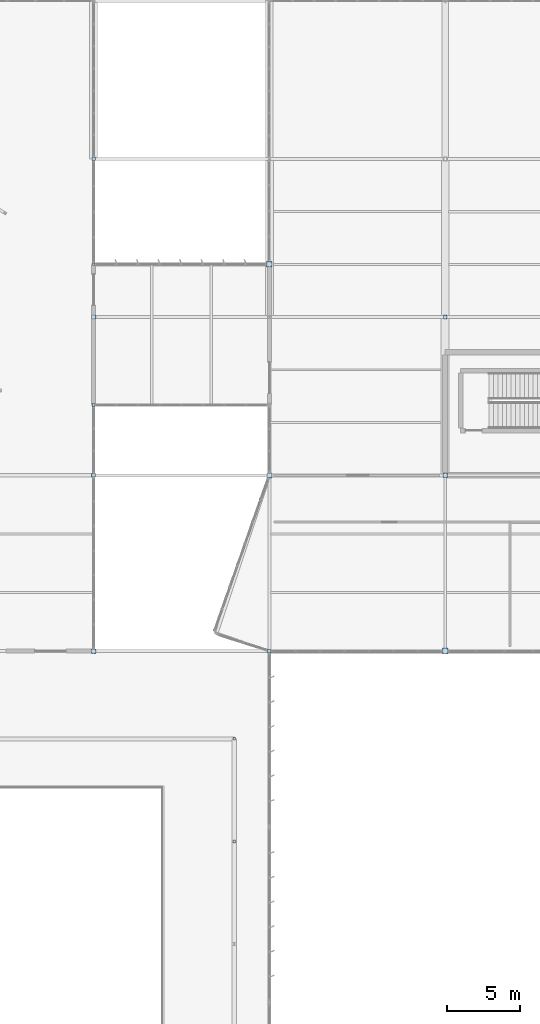
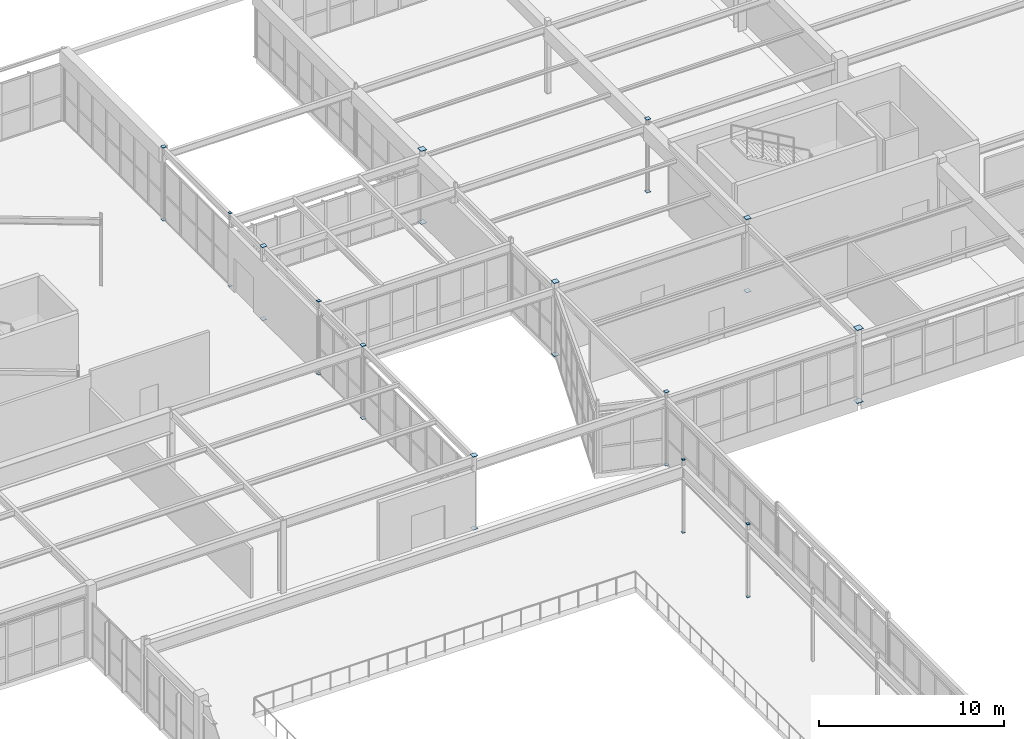
# One storey, part 150 of 186: 28 plates.
"""IFC4 building model written with IfcOpenShell, lengths in metres."""

from ifc_helpers import new_model, si_unit, direction, frame, origin, origin_2d, place, context, subcontext, project, spatial, rectangle, extrude, material, layer, layer_set, type_object, element, save


model = new_model("IFC4")

# Units and contexts
model_context = context("Model", 3, precision=1e-05, world=origin(), true_north=direction((0.0, 1.0)))
body_context = subcontext(model_context, "Body", "Model", "MODEL_VIEW")
ifc_project = project(units=[si_unit("LENGTHUNIT", "METRE"), si_unit("AREAUNIT", "SQUARE_METRE"), si_unit("VOLUMEUNIT", "CUBIC_METRE"), si_unit("PLANEANGLEUNIT", "RADIAN"), si_unit("MASSUNIT", "GRAM", prefix="KILO")], contexts=[model_context])

# Site, building, storey
site_placement = place(None, origin())
site = spatial("IfcSite", under=ifc_project, at=site_placement, CompositionType="ELEMENT")
building_placement = place(site_placement, origin())
building = spatial("IfcBuilding", under=site, at=building_placement, Name="Tarnwether General Hospital", CompositionType="ELEMENT")
storey_placement = place(building_placement, frame((0.0, 0.0, 9.60009765625)))
storey = spatial("IfcBuildingStorey", under=building, at=storey_placement, Name="L02", CompositionType="ELEMENT", Elevation=9.60009765625)

# Plates
ifc_material = material(Name="Steel Grade 350 (350 MPa)", Category="steel")
ifc_layer = layer(ifc_material, 0.02490234375)
ifc_layer_set = layer_set([ifc_layer], Name="Steel Grade 350 (350 MPa)")
plate_type = type_object("IfcPlateType", Name="PT-GUS2", PredefinedType="USERDEFINED", material=ifc_layer_set)
for number, where, z_axis, x_axis, name in (
    (1, (132.0, 81.60009765625, -0.025146484375), (0.0, 0.0, 1.0), (1.0, 0.0, 0.0), "Hollow Section Welded End Cap Plate 0235"),
    (2, (132.0, 81.60009765625, 4.800048828125), (0.0, 0.0, 1.0), (1.0, 0.0, 0.0), "Hollow Section Welded End Cap Plate 0236"),
):
    element("IfcPlate", number, at=place(storey_placement, frame(where, z_axis=z_axis, x_axis=x_axis)), inside=storey, type_object=plate_type, Name=name, ObjectType="GUSSET", PredefinedType="USERDEFINED", context=body_context, shape_type="SweptSolid", body=[
        extrude(rectangle(XDim=0.31298828125, YDim=0.31298828125, at=origin_2d()), origin(), (0.0, 0.0, 1.0), 0.02490234375),
    ])
for number, where, z_axis, x_axis, name in (
    (3, (132.0, 93.60009765625, -0.025146484375), (0.0, 0.0, 1.0), (1.0, 0.0, 0.0), "Hollow Section Welded End Cap Plate 0243"),
    (4, (132.0, 93.60009765625, 4.800048828125), (0.0, 0.0, 1.0), (1.0, 0.0, 0.0), "Hollow Section Welded End Cap Plate 0244"),
):
    element("IfcPlate", number, at=place(storey_placement, frame(where, z_axis=z_axis, x_axis=x_axis)), inside=storey, type_object=plate_type, Name=name, ObjectType="GUSSET", PredefinedType="USERDEFINED", context=body_context, shape_type="SweptSolid", body=[
        extrude(rectangle(XDim=0.259033203125, YDim=0.259033203125, at=origin_2d()), origin(), (0.0, 0.0, 1.0), 0.02490234375),
    ])
for number, where, z_axis, x_axis, name in (
    (5, (132.0, 104.39990234375, -0.025146484375), (0.0, 0.0, 1.0), (1.0, 0.0, 0.0), "Hollow Section Welded End Cap Plate 0251"),
    (6, (132.0, 104.39990234375, 4.800048828125), (0.0, 0.0, 1.0), (1.0, 0.0, 0.0), "Hollow Section Welded End Cap Plate 0252"),
):
    element("IfcPlate", number, at=place(storey_placement, frame(where, z_axis=z_axis, x_axis=x_axis)), inside=storey, type_object=plate_type, Name=name, ObjectType="GUSSET", PredefinedType="USERDEFINED", context=body_context, shape_type="SweptSolid", body=[
        extrude(rectangle(XDim=0.2900390625, YDim=0.2900390625, at=origin_2d()), origin(), (0.0, 0.0, 1.0), 0.02490234375),
    ])
for number, where, z_axis, x_axis, name in (
    (7, (132.0, 115.199951171875, -0.025146484375), (0.0, 0.0, 1.0), (1.0, 0.0, 0.0), "Hollow Section Welded End Cap Plate 0259"),
    (8, (132.0, 115.199951171875, 4.800048828125), (0.0, 0.0, 1.0), (1.0, 0.0, 0.0), "Hollow Section Welded End Cap Plate 0260"),
):
    element("IfcPlate", number, at=place(storey_placement, frame(where, z_axis=z_axis, x_axis=x_axis)), inside=storey, type_object=plate_type, Name=name, ObjectType="GUSSET", PredefinedType="USERDEFINED", context=body_context, shape_type="SweptSolid", body=[
        extrude(rectangle(XDim=0.239990234375, YDim=0.239990234375, at=origin_2d()), origin(), (0.0, 0.0, 1.0), 0.02490234375),
    ])
for number, where, z_axis, x_axis, name in (
    (9, (144.0, 81.60009765625, -0.025146484375), (0.0, 0.0, 1.0), (1.0, 0.0, 0.0), "Hollow Section Welded End Cap Plate 0289"),
    (10, (144.0, 81.60009765625, 4.800048828125), (0.0, 0.0, 1.0), (1.0, 0.0, 0.0), "Hollow Section Welded End Cap Plate 0290"),
):
    element("IfcPlate", number, at=place(storey_placement, frame(where, z_axis=z_axis, x_axis=x_axis)), inside=storey, type_object=plate_type, Name=name, ObjectType="GUSSET", PredefinedType="USERDEFINED", context=body_context, shape_type="SweptSolid", body=[
        extrude(rectangle(XDim=0.23388671875, YDim=0.23388671875, at=origin_2d()), origin(), (0.0, 0.0, 1.0), 0.02490234375),
    ])
for number, where, z_axis, x_axis, name in (
    (11, (144.0, 93.60009765625, -0.025146484375), (0.0, 0.0, 1.0), (1.0, 0.0, 0.0), "Hollow Section Welded End Cap Plate 0295"),
    (12, (144.0, 93.60009765625, 4.800048828125), (0.0, 0.0, 1.0), (1.0, 0.0, 0.0), "Hollow Section Welded End Cap Plate 0296"),
):
    element("IfcPlate", number, at=place(storey_placement, frame(where, z_axis=z_axis, x_axis=x_axis)), inside=storey, type_object=plate_type, Name=name, ObjectType="GUSSET", PredefinedType="USERDEFINED", context=body_context, shape_type="SweptSolid", body=[
        extrude(rectangle(XDim=0.340087890625, YDim=0.340087890625, at=origin_2d()), origin(), (0.0, 0.0, 1.0), 0.02490234375),
    ])
for number, where, z_axis, x_axis, name in (
    (13, (156.0, 81.60009765625, -0.025146484375), (0.0, 0.0, 1.0), (1.0, 0.0, 0.0), "Hollow Section Welded End Cap Plate 0325"),
    (14, (156.0, 81.60009765625, 4.800048828125), (0.0, 0.0, 1.0), (1.0, 0.0, 0.0), "Hollow Section Welded End Cap Plate 0326"),
):
    element("IfcPlate", number, at=place(storey_placement, frame(where, z_axis=z_axis, x_axis=x_axis)), inside=storey, type_object=plate_type, Name=name, ObjectType="GUSSET", PredefinedType="USERDEFINED", context=body_context, shape_type="SweptSolid", body=[
        extrude(rectangle(XDim=0.39599609375, YDim=0.39599609375, at=origin_2d()), origin(), (0.0, 0.0, 1.0), 0.02490234375),
    ])
for number, where, z_axis, x_axis, name in (
    (15, (156.0, 93.60009765625, -0.025146484375), (0.0, 0.0, 1.0), (1.0, 0.0, 0.0), "Hollow Section Welded End Cap Plate 0333"),
    (16, (156.0, 93.60009765625, 4.800048828125), (0.0, 0.0, 1.0), (1.0, 0.0, 0.0), "Hollow Section Welded End Cap Plate 0334"),
):
    element("IfcPlate", number, at=place(storey_placement, frame(where, z_axis=z_axis, x_axis=x_axis)), inside=storey, type_object=plate_type, Name=name, ObjectType="GUSSET", PredefinedType="USERDEFINED", context=body_context, shape_type="SweptSolid", body=[
        extrude(rectangle(XDim=0.31298828125, YDim=0.31298828125, at=origin_2d()), origin(), (0.0, 0.0, 1.0), 0.02490234375),
    ])
for number, where, z_axis, x_axis, name in (
    (17, (156.0, 104.39990234375, -0.025146484375), (0.0, 0.0, 1.0), (1.0, 0.0, 0.0), "Hollow Section Welded End Cap Plate 0343"),
    (18, (156.0, 104.39990234375, 4.800048828125), (0.0, 0.0, 1.0), (1.0, 0.0, 0.0), "Hollow Section Welded End Cap Plate 0344"),
):
    element("IfcPlate", number, at=place(storey_placement, frame(where, z_axis=z_axis, x_axis=x_axis)), inside=storey, type_object=plate_type, Name=name, ObjectType="GUSSET", PredefinedType="USERDEFINED", context=body_context, shape_type="SweptSolid", body=[
        extrude(rectangle(XDim=0.259033203125, YDim=0.259033203125, at=origin_2d()), origin(), (0.0, 0.0, 1.0), 0.02490234375),
    ])
for number, where, z_axis, x_axis, name in (
    (19, (141.60009765625, 68.60009765625, -0.025146484375), (0.0, 0.0, 1.0), (1.0, 0.0, 0.0), "Hollow Section Welded End Cap Plate 0447"),
    (20, (141.60009765625, 68.60009765625, 4.800048828125), (0.0, 0.0, 1.0), (1.0, 0.0, 0.0), "Hollow Section Welded End Cap Plate 0448"),
):
    element("IfcPlate", number, at=place(storey_placement, frame(where, z_axis=z_axis, x_axis=x_axis)), inside=storey, type_object=plate_type, Name=name, ObjectType="GUSSET", PredefinedType="USERDEFINED", context=body_context, shape_type="SweptSolid", body=[
        extrude(rectangle(XDim=0.18994140625, YDim=0.18994140625, at=origin_2d()), origin(), (0.0, 0.0, 1.0), 0.02490234375),
    ])
for number, where, z_axis, x_axis, name in (
    (21, (141.60009765625, 75.60009765625, -0.025146484375), (0.0, 0.0, 1.0), (1.0, 0.0, 0.0), "Hollow Section Welded End Cap Plate 0451"),
    (22, (141.60009765625, 75.60009765625, 4.800048828125), (0.0, 0.0, 1.0), (1.0, 0.0, 0.0), "Hollow Section Welded End Cap Plate 0452"),
):
    element("IfcPlate", number, at=place(storey_placement, frame(where, z_axis=z_axis, x_axis=x_axis)), inside=storey, type_object=plate_type, Name=name, ObjectType="GUSSET", PredefinedType="USERDEFINED", context=body_context, shape_type="SweptSolid", body=[
        extrude(rectangle(XDim=0.1650390625, YDim=0.1650390625, at=origin_2d()), origin(), (0.0, 0.0, 1.0), 0.02490234375),
    ])
for number, where, z_axis, x_axis, name in (
    (23, (132.0, 98.39990234375, -0.025146484375), (0.0, 0.0, 1.0), (1.0, 0.0, 0.0), "Hollow Section Welded End Cap Plate 0759"),
    (24, (132.0, 98.39990234375, 4.800048828125), (0.0, 0.0, 1.0), (1.0, 0.0, 0.0), "Hollow Section Welded End Cap Plate 0760"),
):
    element("IfcPlate", number, at=place(storey_placement, frame(where, z_axis=z_axis, x_axis=x_axis)), inside=storey, type_object=plate_type, Name=name, ObjectType="GUSSET", PredefinedType="USERDEFINED", context=body_context, shape_type="SweptSolid", body=[
        extrude(rectangle(XDim=0.18994140625, YDim=0.18994140625, at=origin_2d()), origin(), (0.0, 0.0, 1.0), 0.02490234375),
    ])
for number, where, z_axis, x_axis, name in (
    (25, (132.0, 108.0, -0.025146484375), (0.0, 0.0, 1.0), (1.0, 0.0, 0.0), "Hollow Section Welded End Cap Plate 0763"),
    (26, (132.0, 108.0, 4.800048828125), (0.0, 0.0, 1.0), (1.0, 0.0, 0.0), "Hollow Section Welded End Cap Plate 0764"),
):
    element("IfcPlate", number, at=place(storey_placement, frame(where, z_axis=z_axis, x_axis=x_axis)), inside=storey, type_object=plate_type, Name=name, ObjectType="GUSSET", PredefinedType="USERDEFINED", context=body_context, shape_type="SweptSolid", body=[
        extrude(rectangle(XDim=0.1650390625, YDim=0.1650390625, at=origin_2d()), origin(), (0.0, 0.0, 1.0), 0.02490234375),
    ])
for number, where, z_axis, x_axis, name in (
    (27, (144.0, 108.0, -0.025146484375), (0.0, 0.0, 1.0), (1.0, 0.0, 0.0), "Hollow Section Welded End Cap Plate 0775"),
    (28, (144.0, 108.0, 4.800048828125), (0.0, 0.0, 1.0), (1.0, 0.0, 0.0), "Hollow Section Welded End Cap Plate 0776"),
):
    element("IfcPlate", number, at=place(storey_placement, frame(where, z_axis=z_axis, x_axis=x_axis)), inside=storey, type_object=plate_type, Name=name, ObjectType="GUSSET", PredefinedType="USERDEFINED", context=body_context, shape_type="SweptSolid", body=[
        extrude(rectangle(XDim=0.364013671875, YDim=0.364013671875, at=origin_2d()), origin(), (0.0, 0.0, 1.0), 0.02490234375),
    ])

save(model, "model.ifc")
